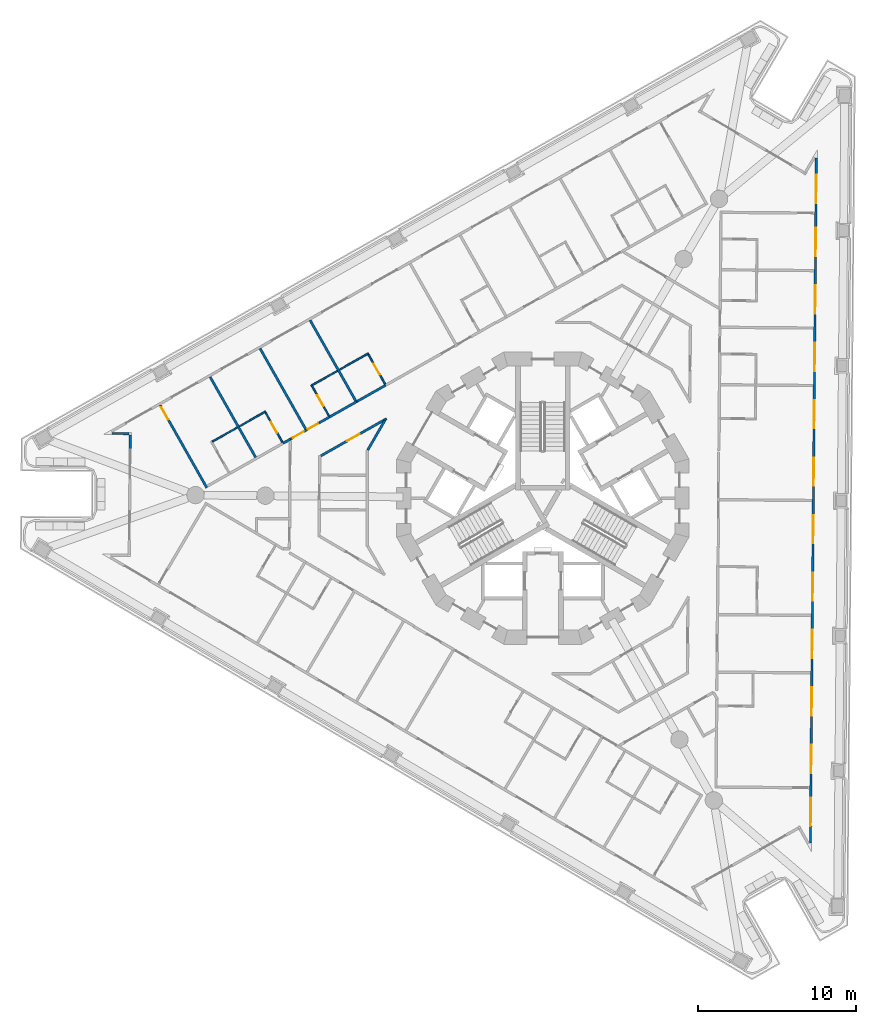
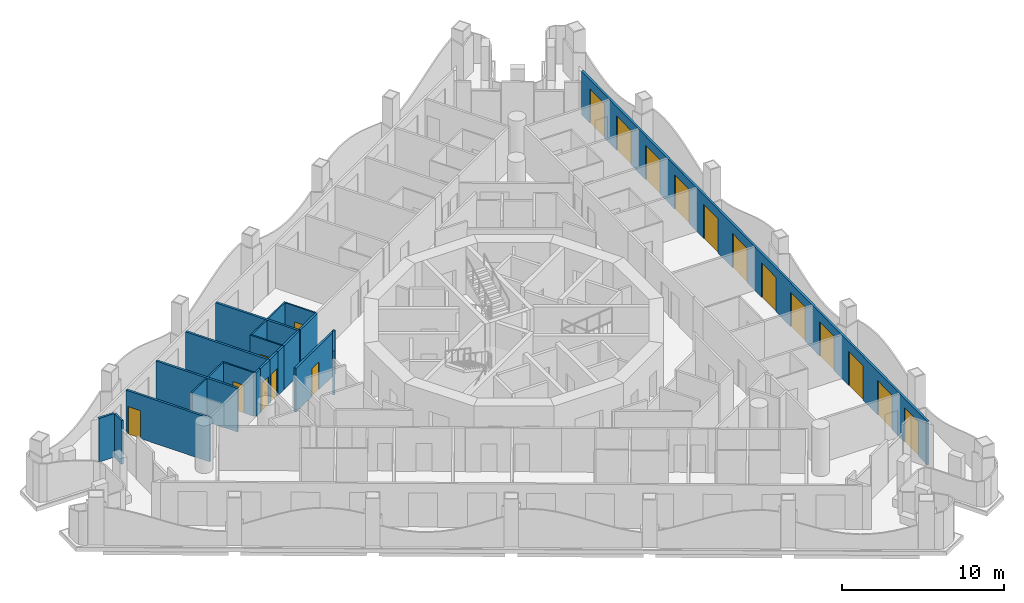
# One storey, part 7 of 18: 22 walls, 19 doors, 19 openings.
"""IFC4 building model written with IfcOpenShell, lengths in metres."""

from ifc_helpers import new_model, si_unit, direction, frame, frame_2d, origin, place, context, subcontext, project, spatial, polyline, rectangle, outline, extrude, material, layer, layer_set, type_object, element, fill, save


model = new_model("IFC4")

# Units and contexts
model_context = context("Model", 3, precision=1e-05, world=origin(), true_north=direction((0.0, 1.0)))
body_context = subcontext(model_context, "Body", "Model", "MODEL_VIEW")
ifc_project = project(units=[si_unit("LENGTHUNIT", "METRE"), si_unit("AREAUNIT", "SQUARE_METRE"), si_unit("VOLUMEUNIT", "CUBIC_METRE"), si_unit("PLANEANGLEUNIT", "RADIAN"), si_unit("MASSUNIT", "GRAM", prefix="KILO")], contexts=[model_context])

# Site, building, storey
site_placement = place(None, origin())
site = spatial("IfcSite", under=ifc_project, at=site_placement, CompositionType="ELEMENT")
building_placement = place(site_placement, origin())
building = spatial("IfcBuilding", under=site, at=building_placement, Name="Trine Commons Tower", CompositionType="ELEMENT")
storey_placement = place(building_placement, frame((0.0, 0.0, 175.5)))
storey = spatial("IfcBuildingStorey", under=building, at=storey_placement, Name="L45", CompositionType="ELEMENT", Elevation=175.5)

# Walls
ifc_material_1 = material(Name="Aluminium-framed insulated wall panel", Category="aluminium")
ifc_layer_1 = layer(ifc_material_1, 0.14990234375)
ifc_layer_set_1 = layer_set([ifc_layer_1], Name="Aluminium-framed insulated wall panel")
wall_type_1 = type_object("IfcWallType", Name="Glazed frame wall 150, EI 60", PredefinedType="SOLIDWALL", material=ifc_layer_set_1)
wall_1_placement = place(storey_placement, frame((53.816162109375, 65.628662109375, 0.0), z_axis=(0.0, 0.0, 1.0), x_axis=(0.008788723053, 0.999961378428, 0.0)))
element("IfcWall", 1, at=wall_1_placement, inside=storey, type_object=wall_type_1, Name="Glazed frame wall P1.5", PredefinedType="SOLIDWALL", context=body_context, shape_type="SweptSolid", body=[
    extrude(outline(polyline([(0.889892578125, 0.074951171875), (0.0, 0.074951171875), (0.0, -0.074951171875), (0.889892578125, -0.074951171875), (0.889892578125, 0.074951171875)])), origin(), (0.0, 0.0, 1.0), 3.300048828125),
])
wall_2_placement = place(storey_placement, frame((53.859619140625, 66.59326171875, 0.0), z_axis=(0.0, 0.0, 1.0), x_axis=(-0.999962043845, 0.008712684354, 0.0)))
element("IfcWall", 2, at=wall_2_placement, inside=storey, type_object=wall_type_1, Name="Glazed frame wall R3", PredefinedType="SOLIDWALL", context=body_context, shape_type="SweptSolid", body=[
    extrude(outline(polyline([(0.110107421875, 0.074951171875), (0.110107421875, -0.074951171875), (1.19580078125, -0.074951171875), (1.19580078125, 0.074951171875), (0.110107421875, 0.074951171875)])), origin(), (0.0, 0.0, 1.0), 3.300048828125),
])

# Wall, openings, doors
wall_3_placement = place(storey_placement, frame((97.36279296875, 84.232421875, 0.0), z_axis=(0.0, 0.0, 1.0), x_axis=(-0.00872447395, -0.999961941053, 0.0)))
wall_3 = element("IfcWall", 3, at=wall_3_placement, inside=storey, type_object=wall_type_1, Name="Glazed frame wall F2", PredefinedType="SOLIDWALL", context=body_context, shape_type="SweptSolid", body=[
    extrude(outline(polyline([(0.1494140625, 0.074951171875), (0.1494140625, -0.074951171875), (43.616943359375, -0.074951171875), (43.616943359375, 0.074951171875), (0.1494140625, 0.074951171875)])), origin(), (0.0, 0.0, 1.0), 3.300048828125),
])
opening_1_placement = place(wall_3_placement, frame((1.2236328125, 0.0, 0.0)))
opening_1 = element("IfcOpeningElement", 4, at=opening_1_placement, cuts=wall_3, Name="Opening BD-5F2-01", PredefinedType="OPENING", context=body_context, shape_type="SweptSolid", body=[
    extrude(rectangle(XDim=1.800048828125, YDim=2.60009765625, at=frame_2d((0.89990234375, 1.300048828125))), frame((0.0, 0.0849609375, 0.0), z_axis=(0.0, -1.0, 0.0), x_axis=(1.0, 0.0, 0.0)), (0.0, 0.0, 1.0), 0.169921875),
])
opening_2_placement = place(wall_3_placement, frame((4.57080078125, 0.0, 0.0)))
opening_2 = element("IfcOpeningElement", 5, at=opening_2_placement, cuts=wall_3, Name="Opening BD-5F2-02", PredefinedType="OPENING", context=body_context, shape_type="SweptSolid", body=[
    extrude(rectangle(XDim=1.800048828125, YDim=2.60009765625, at=frame_2d((0.89990234375, 1.300048828125))), frame((0.0, 0.0849609375, 0.0), z_axis=(0.0, -1.0, 0.0), x_axis=(1.0, 0.0, 0.0)), (0.0, 0.0, 1.0), 0.169921875),
])
opening_3_placement = place(wall_3_placement, frame((8.218017578125, 0.0, 0.0)))
opening_3 = element("IfcOpeningElement", 6, at=opening_3_placement, cuts=wall_3, Name="Opening BD-5F2-03", PredefinedType="OPENING", context=body_context, shape_type="SweptSolid", body=[
    extrude(rectangle(XDim=1.800048828125, YDim=2.60009765625, at=frame_2d((0.89990234375, 1.300048828125))), frame((0.0, 0.0849609375, 0.0), z_axis=(0.0, -1.0, 0.0), x_axis=(1.0, 0.0, 0.0)), (0.0, 0.0, 1.0), 0.169921875),
])
opening_4_placement = place(wall_3_placement, frame((11.865234375, 0.0, 0.0)))
opening_4 = element("IfcOpeningElement", 7, at=opening_4_placement, cuts=wall_3, Name="Opening BD-5F2-04", PredefinedType="OPENING", context=body_context, shape_type="SweptSolid", body=[
    extrude(rectangle(XDim=1.800048828125, YDim=2.60009765625, at=frame_2d((0.89990234375, 1.300048828125))), frame((0.0, 0.0849609375, 0.0), z_axis=(0.0, -1.0, 0.0), x_axis=(1.0, 0.0, 0.0)), (0.0, 0.0, 1.0), 0.169921875),
])
opening_5_placement = place(wall_3_placement, frame((15.512451171875, 0.0, 0.0)))
opening_5 = element("IfcOpeningElement", 8, at=opening_5_placement, cuts=wall_3, Name="Opening BD-5F2-05", PredefinedType="OPENING", context=body_context, shape_type="SweptSolid", body=[
    extrude(rectangle(XDim=1.800048828125, YDim=2.60009765625, at=frame_2d((0.89990234375, 1.300048828125))), frame((0.0, 0.0849609375, 0.0), z_axis=(0.0, -1.0, 0.0), x_axis=(1.0, 0.0, 0.0)), (0.0, 0.0, 1.0), 0.169921875),
])
opening_6_placement = place(wall_3_placement, frame((19.15966796875, 0.0, 0.0)))
opening_6 = element("IfcOpeningElement", 9, at=opening_6_placement, cuts=wall_3, Name="Opening BD-5F2-06", PredefinedType="OPENING", context=body_context, shape_type="SweptSolid", body=[
    extrude(rectangle(XDim=1.800048828125, YDim=2.60009765625, at=frame_2d((0.89990234375, 1.300048828125))), frame((0.0, 0.0849609375, 0.0), z_axis=(0.0, -1.0, 0.0), x_axis=(1.0, 0.0, 0.0)), (0.0, 0.0, 1.0), 0.169921875),
])
opening_7_placement = place(wall_3_placement, frame((22.806884765625, 0.0, 0.0)))
opening_7 = element("IfcOpeningElement", 10, at=opening_7_placement, cuts=wall_3, Name="Opening BD-5F2-07", PredefinedType="OPENING", context=body_context, shape_type="SweptSolid", body=[
    extrude(rectangle(XDim=1.800048828125, YDim=2.60009765625, at=frame_2d((0.89990234375, 1.300048828125))), frame((0.0, 0.0849609375, 0.0), z_axis=(0.0, -1.0, 0.0), x_axis=(1.0, 0.0, 0.0)), (0.0, 0.0, 1.0), 0.169921875),
])
opening_8_placement = place(wall_3_placement, frame((26.4541015625, 0.0, 0.0)))
opening_8 = element("IfcOpeningElement", 11, at=opening_8_placement, cuts=wall_3, Name="Opening BD-5F2-08", PredefinedType="OPENING", context=body_context, shape_type="SweptSolid", body=[
    extrude(rectangle(XDim=1.800048828125, YDim=2.60009765625, at=frame_2d((0.89990234375, 1.300048828125))), frame((0.0, 0.0849609375, 0.0), z_axis=(0.0, -1.0, 0.0), x_axis=(1.0, 0.0, 0.0)), (0.0, 0.0, 1.0), 0.169921875),
])
opening_9_placement = place(wall_3_placement, frame((30.101318359375, 0.0, 0.0)))
opening_9 = element("IfcOpeningElement", 12, at=opening_9_placement, cuts=wall_3, Name="Opening BD-5F2-09", PredefinedType="OPENING", context=body_context, shape_type="SweptSolid", body=[
    extrude(rectangle(XDim=1.800048828125, YDim=2.60009765625, at=frame_2d((0.89990234375, 1.300048828125))), frame((0.0, 0.0849609375, 0.0), z_axis=(0.0, -1.0, 0.0), x_axis=(1.0, 0.0, 0.0)), (0.0, 0.0, 1.0), 0.169921875),
])
opening_10_placement = place(wall_3_placement, frame((33.748291015625, 0.0, 0.0)))
opening_10 = element("IfcOpeningElement", 13, at=opening_10_placement, cuts=wall_3, Name="Opening BD-5F2-10", PredefinedType="OPENING", context=body_context, shape_type="SweptSolid", body=[
    extrude(rectangle(XDim=1.800048828125, YDim=2.60009765625, at=frame_2d((0.89990234375, 1.300048828125))), frame((0.0, 0.0849609375, 0.0), z_axis=(0.0, -1.0, 0.0), x_axis=(1.0, 0.0, 0.0)), (0.0, 0.0, 1.0), 0.169921875),
])
opening_11_placement = place(wall_3_placement, frame((37.3955078125, 0.0, 0.0)))
opening_11 = element("IfcOpeningElement", 14, at=opening_11_placement, cuts=wall_3, Name="Opening BD-5F2-11", PredefinedType="OPENING", context=body_context, shape_type="SweptSolid", body=[
    extrude(rectangle(XDim=1.800048828125, YDim=2.60009765625, at=frame_2d((0.89990234375, 1.300048828125))), frame((0.0, 0.0849609375, 0.0), z_axis=(0.0, -1.0, 0.0), x_axis=(1.0, 0.0, 0.0)), (0.0, 0.0, 1.0), 0.169921875),
])
opening_12_placement = place(wall_3_placement, frame((40.742919921875, 0.0, 0.0)))
opening_12 = element("IfcOpeningElement", 15, at=opening_12_placement, cuts=wall_3, Name="Opening BD-5F2-12", PredefinedType="OPENING", context=body_context, shape_type="SweptSolid", body=[
    extrude(rectangle(XDim=1.800048828125, YDim=2.60009765625, at=frame_2d((0.89990234375, 1.300048828125))), frame((0.0, 0.0849609375, 0.0), z_axis=(0.0, -1.0, 0.0), x_axis=(1.0, 0.0, 0.0)), (0.0, 0.0, 1.0), 0.169921875),
])
ifc_material_2 = material(Name="Anodised aluminium frame with double glazing", Category="aluminium")
door_type_1 = type_object("IfcDoorType", Name="Sliding loggia door 1800x2600", OperationType="SLIDING_TO_LEFT", PredefinedType="DOOR", material=ifc_material_2)
door_1_placement = place(opening_1_placement, origin())
door_1 = element("IfcDoor", 16, at=door_1_placement, inside=storey, type_object=door_type_1, Name="Loggia door F2 1", OperationType="SLIDING_TO_LEFT", OverallHeight=2.60009765625, OverallWidth=1.800048828125, PredefinedType="DOOR", context=body_context, shape_type="SweptSolid", body=[
    extrude(rectangle(XDim=1.800048828125, YDim=2.60009765625, at=frame_2d((0.89990234375, 1.300048828125))), frame((0.0, 0.02490234375, 0.0), z_axis=(0.0, -1.0, 0.0), x_axis=(1.0, 0.0, 0.0)), (0.0, 0.0, 1.0), 0.050048828125),
])
fill(opening_1, door_1)
door_2_placement = place(opening_2_placement, origin())
door_2 = element("IfcDoor", 17, at=door_2_placement, inside=storey, type_object=door_type_1, Name="Loggia door F2 2", OperationType="SLIDING_TO_LEFT", OverallHeight=2.60009765625, OverallWidth=1.800048828125, PredefinedType="DOOR", context=body_context, shape_type="SweptSolid", body=[
    extrude(rectangle(XDim=1.800048828125, YDim=2.60009765625, at=frame_2d((0.89990234375, 1.300048828125))), frame((0.0, 0.02490234375, 0.0), z_axis=(0.0, -1.0, 0.0), x_axis=(1.0, 0.0, 0.0)), (0.0, 0.0, 1.0), 0.050048828125),
])
fill(opening_2, door_2)
door_3_placement = place(opening_3_placement, origin())
door_3 = element("IfcDoor", 18, at=door_3_placement, inside=storey, type_object=door_type_1, Name="Loggia door F2 3", OperationType="SLIDING_TO_LEFT", OverallHeight=2.60009765625, OverallWidth=1.800048828125, PredefinedType="DOOR", context=body_context, shape_type="SweptSolid", body=[
    extrude(rectangle(XDim=1.800048828125, YDim=2.60009765625, at=frame_2d((0.89990234375, 1.300048828125))), frame((0.0, 0.02490234375, 0.0), z_axis=(0.0, -1.0, 0.0), x_axis=(1.0, 0.0, 0.0)), (0.0, 0.0, 1.0), 0.050048828125),
])
fill(opening_3, door_3)
door_4_placement = place(opening_4_placement, origin())
door_4 = element("IfcDoor", 19, at=door_4_placement, inside=storey, type_object=door_type_1, Name="Loggia door F2 4", OperationType="SLIDING_TO_LEFT", OverallHeight=2.60009765625, OverallWidth=1.800048828125, PredefinedType="DOOR", context=body_context, shape_type="SweptSolid", body=[
    extrude(rectangle(XDim=1.800048828125, YDim=2.60009765625, at=frame_2d((0.89990234375, 1.300048828125))), frame((0.0, 0.02490234375, 0.0), z_axis=(0.0, -1.0, 0.0), x_axis=(1.0, 0.0, 0.0)), (0.0, 0.0, 1.0), 0.050048828125),
])
fill(opening_4, door_4)
door_5_placement = place(opening_5_placement, origin())
door_5 = element("IfcDoor", 20, at=door_5_placement, inside=storey, type_object=door_type_1, Name="Loggia door F2 5", OperationType="SLIDING_TO_LEFT", OverallHeight=2.60009765625, OverallWidth=1.800048828125, PredefinedType="DOOR", context=body_context, shape_type="SweptSolid", body=[
    extrude(rectangle(XDim=1.800048828125, YDim=2.60009765625, at=frame_2d((0.89990234375, 1.300048828125))), frame((0.0, 0.02490234375, 0.0), z_axis=(0.0, -1.0, 0.0), x_axis=(1.0, 0.0, 0.0)), (0.0, 0.0, 1.0), 0.050048828125),
])
fill(opening_5, door_5)
door_6_placement = place(opening_6_placement, origin())
door_6 = element("IfcDoor", 21, at=door_6_placement, inside=storey, type_object=door_type_1, Name="Loggia door F2 6", OperationType="SLIDING_TO_LEFT", OverallHeight=2.60009765625, OverallWidth=1.800048828125, PredefinedType="DOOR", context=body_context, shape_type="SweptSolid", body=[
    extrude(rectangle(XDim=1.800048828125, YDim=2.60009765625, at=frame_2d((0.89990234375, 1.300048828125))), frame((0.0, 0.02490234375, 0.0), z_axis=(0.0, -1.0, 0.0), x_axis=(1.0, 0.0, 0.0)), (0.0, 0.0, 1.0), 0.050048828125),
])
fill(opening_6, door_6)
door_7_placement = place(opening_7_placement, origin())
door_7 = element("IfcDoor", 22, at=door_7_placement, inside=storey, type_object=door_type_1, Name="Loggia door F2 7", OperationType="SLIDING_TO_LEFT", OverallHeight=2.60009765625, OverallWidth=1.800048828125, PredefinedType="DOOR", context=body_context, shape_type="SweptSolid", body=[
    extrude(rectangle(XDim=1.800048828125, YDim=2.60009765625, at=frame_2d((0.89990234375, 1.300048828125))), frame((0.0, 0.02490234375, 0.0), z_axis=(0.0, -1.0, 0.0), x_axis=(1.0, 0.0, 0.0)), (0.0, 0.0, 1.0), 0.050048828125),
])
fill(opening_7, door_7)
door_8_placement = place(opening_8_placement, origin())
door_8 = element("IfcDoor", 23, at=door_8_placement, inside=storey, type_object=door_type_1, Name="Loggia door F2 8", OperationType="SLIDING_TO_LEFT", OverallHeight=2.60009765625, OverallWidth=1.800048828125, PredefinedType="DOOR", context=body_context, shape_type="SweptSolid", body=[
    extrude(rectangle(XDim=1.800048828125, YDim=2.60009765625, at=frame_2d((0.89990234375, 1.300048828125))), frame((0.0, 0.02490234375, 0.0), z_axis=(0.0, -1.0, 0.0), x_axis=(1.0, 0.0, 0.0)), (0.0, 0.0, 1.0), 0.050048828125),
])
fill(opening_8, door_8)
door_9_placement = place(opening_9_placement, origin())
door_9 = element("IfcDoor", 24, at=door_9_placement, inside=storey, type_object=door_type_1, Name="Loggia door F2 9", OperationType="SLIDING_TO_LEFT", OverallHeight=2.60009765625, OverallWidth=1.800048828125, PredefinedType="DOOR", context=body_context, shape_type="SweptSolid", body=[
    extrude(rectangle(XDim=1.800048828125, YDim=2.60009765625, at=frame_2d((0.89990234375, 1.300048828125))), frame((0.0, 0.02490234375, 0.0), z_axis=(0.0, -1.0, 0.0), x_axis=(1.0, 0.0, 0.0)), (0.0, 0.0, 1.0), 0.050048828125),
])
fill(opening_9, door_9)
door_10_placement = place(opening_10_placement, origin())
door_10 = element("IfcDoor", 25, at=door_10_placement, inside=storey, type_object=door_type_1, Name="Loggia door F2 10", OperationType="SLIDING_TO_LEFT", OverallHeight=2.60009765625, OverallWidth=1.800048828125, PredefinedType="DOOR", context=body_context, shape_type="SweptSolid", body=[
    extrude(rectangle(XDim=1.800048828125, YDim=2.60009765625, at=frame_2d((0.89990234375, 1.300048828125))), frame((0.0, 0.02490234375, 0.0), z_axis=(0.0, -1.0, 0.0), x_axis=(1.0, 0.0, 0.0)), (0.0, 0.0, 1.0), 0.050048828125),
])
fill(opening_10, door_10)
door_11_placement = place(opening_11_placement, origin())
door_11 = element("IfcDoor", 26, at=door_11_placement, inside=storey, type_object=door_type_1, Name="Loggia door F2 11", OperationType="SLIDING_TO_LEFT", OverallHeight=2.60009765625, OverallWidth=1.800048828125, PredefinedType="DOOR", context=body_context, shape_type="SweptSolid", body=[
    extrude(rectangle(XDim=1.800048828125, YDim=2.60009765625, at=frame_2d((0.89990234375, 1.300048828125))), frame((0.0, 0.02490234375, 0.0), z_axis=(0.0, -1.0, 0.0), x_axis=(1.0, 0.0, 0.0)), (0.0, 0.0, 1.0), 0.050048828125),
])
fill(opening_11, door_11)
door_12_placement = place(opening_12_placement, origin())
door_12 = element("IfcDoor", 27, at=door_12_placement, inside=storey, type_object=door_type_1, Name="Loggia door F2 12", OperationType="SLIDING_TO_LEFT", OverallHeight=2.60009765625, OverallWidth=1.800048828125, PredefinedType="DOOR", context=body_context, shape_type="SweptSolid", body=[
    extrude(rectangle(XDim=1.800048828125, YDim=2.60009765625, at=frame_2d((0.89990234375, 1.300048828125))), frame((0.0, 0.02490234375, 0.0), z_axis=(0.0, -1.0, 0.0), x_axis=(1.0, 0.0, 0.0)), (0.0, 0.0, 1.0), 0.050048828125),
])
fill(opening_12, door_12)

# Wall, opening, door
ifc_material_3 = material(Name="Gypsum plasterboard on steel stud", Category="steel")
ifc_layer_2 = layer(ifc_material_3, 0.14990234375)
ifc_layer_set_2 = layer_set([ifc_layer_2], Name="Gypsum plasterboard on steel stud")
wall_type_2 = type_object("IfcWallType", Name="Unit and corridor wall 150 mm, EI 60", PredefinedType="PARTITIONING", material=ifc_layer_set_2)
wall_4_placement = place(storey_placement, frame((55.708740234375, 68.401123046875, 0.0), z_axis=(0.0, 0.0, 1.0), x_axis=(0.492481823802, -0.870322729351, 0.0)))
wall_4 = element("IfcWall", 28, at=wall_4_placement, inside=storey, type_object=wall_type_2, Name="Partition 002", PredefinedType="PARTITIONING", context=body_context, shape_type="SweptSolid", body=[
    extrude(rectangle(XDim=6.024658203125, YDim=0.14990234375, at=frame_2d((3.01220703125, 0.0))), origin(), (0.0, 0.0, 1.0), 3.300048828125),
])
opening_13_placement = place(wall_4_placement, frame((0.14990234375, 0.0, 0.0)))
opening_13 = element("IfcOpeningElement", 29, at=opening_13_placement, cuts=wall_4, Name="Opening D-5B06", PredefinedType="OPENING", context=body_context, shape_type="SweptSolid", body=[
    extrude(rectangle(XDim=0.89990234375, YDim=2.10009765625, at=frame_2d((0.449951171875, 1.050048828125))), frame((0.0, 0.0849609375, 0.0), z_axis=(0.0, -1.0, 0.0), x_axis=(1.0, 0.0, 0.0)), (0.0, 0.0, 1.0), 0.169921875),
])
ifc_material_4 = material(Name="Timber fire door set", Category="wood")
door_type_2 = type_object("IfcDoorType", Name="Bedroom door 900 x 2100, FD30S", OperationType="NOTDEFINED", PredefinedType="DOOR", material=ifc_material_4)
door_13_placement = place(opening_13_placement, origin())
door_13 = element("IfcDoor", 30, at=door_13_placement, inside=storey, type_object=door_type_2, Name="Door D-5B06", OperationType="SINGLE_SWING_LEFT", OverallHeight=2.10009765625, OverallWidth=0.89990234375, PredefinedType="DOOR", context=body_context, shape_type="SweptSolid", body=[
    extrude(rectangle(XDim=0.89990234375, YDim=2.10009765625, at=frame_2d((0.449951171875, 1.050048828125))), frame((0.0, 0.02490234375, 0.0), z_axis=(0.0, -1.0, 0.0), x_axis=(1.0, 0.0, 0.0)), (0.0, 0.0, 1.0), 0.050048828125),
])
fill(opening_13, door_13)

# Walls
wall_5_placement = place(storey_placement, frame((58.8837890625, 70.197265625, 0.0), z_axis=(0.0, 0.0, 1.0), x_axis=(0.492361245758, -0.870390948756, 0.0)))
element("IfcWall", 31, at=wall_5_placement, inside=storey, type_object=wall_type_2, Name="Partition 005", PredefinedType="PARTITIONING", context=body_context, shape_type="SweptSolid", body=[
    extrude(rectangle(XDim=5.87451171875, YDim=0.14990234375, at=frame_2d((2.937255859375, 0.0))), origin(), (0.0, 0.0, 1.0), 3.300048828125),
])
wall_6_placement = place(storey_placement, frame((62.0576171875, 71.9931640625, 0.0), z_axis=(0.0, 0.0, 1.0), x_axis=(0.492391211334, -0.870373997199, 0.0)))
element("IfcWall", 32, at=wall_6_placement, inside=storey, type_object=wall_type_2, Name="Partition 015", PredefinedType="PARTITIONING", context=body_context, shape_type="SweptSolid", body=[
    extrude(rectangle(XDim=5.949462890625, YDim=0.14990234375, at=frame_2d((2.974609375, 0.0))), origin(), (0.0, 0.0, 1.0), 3.300048828125),
])
wall_7_placement = place(storey_placement, frame((63.507080078125, 65.97705078125, 0.0), z_axis=(0.0, 0.0, 1.0), x_axis=(0.869938000449, 0.493161104888, 0.0)))
element("IfcWall", 33, at=wall_7_placement, inside=storey, type_object=wall_type_2, Name="Partition 019", PredefinedType="PARTITIONING", context=body_context, shape_type="SweptSolid", body=[
    extrude(rectangle(XDim=0.5390625, YDim=0.14990234375, at=frame_2d((0.26953125, 0.0))), origin(), (0.0, 0.0, 1.0), 3.300048828125),
])

# Wall, opening, door
wall_8_placement = place(storey_placement, frame((63.97607421875, 66.242919921875, 0.0), z_axis=(0.0, 0.0, 1.0), x_axis=(0.870234820761, 0.492637145102, 0.0)))
wall_8 = element("IfcWall", 34, at=wall_8_placement, inside=storey, type_object=wall_type_2, Name="Partition 024", PredefinedType="PARTITIONING", context=body_context, shape_type="SweptSolid", body=[
    extrude(rectangle(XDim=1.1650390625, YDim=0.14990234375, at=frame_2d((0.58251953125, 0.0))), origin(), (0.0, 0.0, 1.0), 3.300048828125),
])
opening_14_placement = place(wall_8_placement, frame((0.180908203125, 0.0, 0.0)))
opening_14 = element("IfcOpeningElement", 35, at=opening_14_placement, cuts=wall_8, Name="Opening D-5B07", PredefinedType="OPENING", context=body_context, shape_type="SweptSolid", body=[
    extrude(rectangle(XDim=0.800048828125, YDim=2.10009765625, at=frame_2d((0.39990234375, 1.050048828125))), frame((0.0, 0.0849609375, 0.0), z_axis=(0.0, -1.0, 0.0), x_axis=(1.0, 0.0, 0.0)), (0.0, 0.0, 1.0), 0.169921875),
])
door_type_3 = type_object("IfcDoorType", Name="Bedroom door 800 x 2100, FD30S", OperationType="NOTDEFINED", PredefinedType="DOOR", material=ifc_material_4)
door_14_placement = place(opening_14_placement, origin())
door_14 = element("IfcDoor", 36, at=door_14_placement, inside=storey, type_object=door_type_3, Name="Door D-5B07", OperationType="SINGLE_SWING_LEFT", OverallHeight=2.10009765625, OverallWidth=0.800048828125, PredefinedType="DOOR", context=body_context, shape_type="SweptSolid", body=[
    extrude(rectangle(XDim=0.800048828125, YDim=2.10009765625, at=frame_2d((0.39990234375, 1.050048828125))), frame((0.0, 0.02490234375, 0.0), z_axis=(0.0, -1.0, 0.0), x_axis=(1.0, 0.0, 0.0)), (0.0, 0.0, 1.0), 0.050048828125),
])
fill(opening_14, door_14)

wall_9_placement = place(storey_placement, frame((64.98388671875, 66.81298828125, 0.0), z_axis=(0.0, 0.0, 1.0), x_axis=(0.870488073498, 0.492189510145, 0.0)))
wall_9 = element("IfcWall", 37, at=wall_9_placement, inside=storey, type_object=wall_type_2, Name="Partition 026", PredefinedType="PARTITIONING", context=body_context, shape_type="SweptSolid", body=[
    extrude(rectangle(XDim=0.97314453125, YDim=0.14990234375, at=frame_2d((0.486572265625, 0.0))), origin(), (0.0, 0.0, 1.0), 3.300048828125),
])
opening_15_placement = place(wall_9_placement, frame((0.08349609375, 0.0, 0.0)))
opening_15 = element("IfcOpeningElement", 38, at=opening_15_placement, cuts=wall_9, Name="Opening D-5B08", PredefinedType="OPENING", context=body_context, shape_type="SweptSolid", body=[
    extrude(rectangle(XDim=0.800048828125, YDim=2.10009765625, at=frame_2d((0.39990234375, 1.050048828125))), frame((0.0, 0.0849609375, 0.0), z_axis=(0.0, -1.0, 0.0), x_axis=(1.0, 0.0, 0.0)), (0.0, 0.0, 1.0), 0.169921875),
])
door_15_placement = place(opening_15_placement, origin())
door_15 = element("IfcDoor", 39, at=door_15_placement, inside=storey, type_object=door_type_3, Name="Door D-5B08", OperationType="SINGLE_SWING_LEFT", OverallHeight=2.10009765625, OverallWidth=0.800048828125, PredefinedType="DOOR", context=body_context, shape_type="SweptSolid", body=[
    extrude(rectangle(XDim=0.800048828125, YDim=2.10009765625, at=frame_2d((0.39990234375, 1.050048828125))), frame((0.0, 0.02490234375, 0.0), z_axis=(0.0, -1.0, 0.0), x_axis=(1.0, 0.0, 0.0)), (0.0, 0.0, 1.0), 0.050048828125),
])
fill(opening_15, door_15)

# Walls
wall_10_placement = place(storey_placement, frame((65.231689453125, 73.789306640625, 0.0), z_axis=(0.0, 0.0, 1.0), x_axis=(0.492495148892, -0.870315189065, 0.0)))
element("IfcWall", 40, at=wall_10_placement, inside=storey, type_object=wall_type_2, Name="Partition 028", PredefinedType="PARTITIONING", context=body_context, shape_type="SweptSolid", body=[
    extrude(rectangle(XDim=6.02490234375, YDim=0.14990234375, at=frame_2d((3.012451171875, 0.0))), origin(), (0.0, 0.0, 1.0), 3.300048828125),
])
wall_11_placement = place(storey_placement, frame((65.8310546875, 67.2919921875, 0.0), z_axis=(0.0, 0.0, 1.0), x_axis=(0.870513120225, 0.492145209786, 0.0)))
element("IfcWall", 41, at=wall_11_placement, inside=storey, type_object=wall_type_2, Name="Partition 037", PredefinedType="PARTITIONING", context=body_context, shape_type="SweptSolid", body=[
    extrude(rectangle(XDim=0.731689453125, YDim=0.14990234375, at=frame_2d((0.36572265625, 0.0))), origin(), (0.0, 0.0, 1.0), 3.300048828125),
])

# Wall, opening, door
wall_12_placement = place(storey_placement, frame((65.9072265625, 65.180908203125, 0.0), z_axis=(0.0, 0.0, 1.0), x_axis=(0.870373278687, 0.492392481408, 0.0)))
wall_12 = element("IfcWall", 42, at=wall_12_placement, inside=storey, type_object=wall_type_2, Name="Partition 039", PredefinedType="PARTITIONING", context=body_context, shape_type="SweptSolid", body=[
    extrude(rectangle(XDim=4.799072265625, YDim=0.14990234375, at=frame_2d((2.3994140625, 0.0))), origin(), (0.0, 0.0, 1.0), 3.300048828125),
])
opening_16_placement = place(wall_12_placement, frame((1.912109375, 0.0, 0.0)))
opening_16 = element("IfcOpeningElement", 43, at=opening_16_placement, cuts=wall_12, Name="Opening D-5B35", PredefinedType="OPENING", context=body_context, shape_type="SweptSolid", body=[
    extrude(rectangle(XDim=0.89990234375, YDim=2.10009765625, at=frame_2d((0.449951171875, 1.050048828125))), frame((0.0, 0.0849609375, 0.0), z_axis=(0.0, -1.0, 0.0), x_axis=(1.0, 0.0, 0.0)), (0.0, 0.0, 1.0), 0.169921875),
])
door_type_4 = type_object("IfcDoorType", Name="Service door 900 x 2100, FD30S", OperationType="NOTDEFINED", PredefinedType="DOOR", material=ifc_material_4)
door_16_placement = place(opening_16_placement, frame((0.89990234375, 0.0, 0.0), z_axis=(0.0, 0.0, 1.0), x_axis=(-1.0, 0.0, 0.0)))
door_16 = element("IfcDoor", 44, at=door_16_placement, inside=storey, type_object=door_type_4, Name="Door D-5B35", OperationType="SINGLE_SWING_RIGHT", OverallHeight=2.10009765625, OverallWidth=0.89990234375, PredefinedType="DOOR", context=body_context, shape_type="SweptSolid", body=[
    extrude(rectangle(XDim=0.89990234375, YDim=2.10009765625, at=frame_2d((0.449951171875, 1.050048828125))), frame((0.0, 0.02490234375, 0.0), z_axis=(0.0, -1.0, 0.0), x_axis=(1.0, 0.0, 0.0)), (0.0, 0.0, 1.0), 0.050048828125),
])
fill(opening_16, door_16)

# Walls
wall_13_placement = place(storey_placement, frame((66.41748046875, 67.62451171875, 0.0), z_axis=(0.0, 0.0, 1.0), x_axis=(0.870397465275, 0.492349725747, 0.0)))
element("IfcWall", 45, at=wall_13_placement, inside=storey, type_object=wall_type_2, Name="Partition 040", PredefinedType="PARTITIONING", context=body_context, shape_type="SweptSolid", body=[
    extrude(rectangle(XDim=2.0078125, YDim=0.14990234375, at=frame_2d((1.00390625, 0.0))), origin(), (0.0, 0.0, 1.0), 3.300048828125),
])
wall_14_placement = place(storey_placement, frame((68.224365234375, 68.64599609375, 0.0), z_axis=(0.0, 0.0, 1.0), x_axis=(0.870106004403, 0.492864627562, 0.0)))
element("IfcWall", 46, at=wall_14_placement, inside=storey, type_object=wall_type_2, Name="Partition 043", PredefinedType="PARTITIONING", context=body_context, shape_type="SweptSolid", body=[
    extrude(rectangle(XDim=2.08203125, YDim=0.14990234375, at=frame_2d((1.041015625, 0.0))), origin(), (0.0, 0.0, 1.0), 3.300048828125),
])
wall_15_placement = place(storey_placement, frame((68.889404296875, 65.552001953125, 0.0), z_axis=(0.0, 0.0, 1.0), x_axis=(0.499825543119, 0.866126103086, 0.0)))
element("IfcWall", 47, at=wall_15_placement, inside=storey, type_object=wall_type_2, Name="Partition 046", PredefinedType="PARTITIONING", context=body_context, shape_type="SweptSolid", body=[
    extrude(rectangle(XDim=2.186767578125, YDim=0.14990234375, at=frame_2d((1.09326171875, 0.0))), origin(), (0.0, 0.0, 1.0), 3.300048828125),
])
ifc_layer_3 = layer(ifc_material_3, 0.10009765625)
ifc_layer_set_3 = layer_set([ifc_layer_3], Name="Gypsum plasterboard on steel stud")
wall_type_3 = type_object("IfcWallType", Name="Unit partition 100 mm, no rating", PredefinedType="PARTITIONING", material=ifc_layer_set_3)
wall_16_placement = place(storey_placement, frame((59.026611328125, 66.085693359375, 0.0), z_axis=(0.0, 0.0, 1.0), x_axis=(0.870375876163, 0.492387889974, 0.0)))
element("IfcWall", 48, at=wall_16_placement, inside=storey, type_object=wall_type_3, Name="Partition 007", PredefinedType="PARTITIONING", context=body_context, shape_type="SweptSolid", body=[
    extrude(rectangle(XDim=1.82470703125, YDim=0.10009765625, at=frame_2d((0.912353515625, 0.0))), origin(), (0.0, 0.0, 1.0), 3.300048828125),
])
wall_17_placement = place(storey_placement, frame((60.745361328125, 67.057861328125, 0.0), z_axis=(0.0, 0.0, 1.0), x_axis=(0.870465997858, 0.492228551156, 0.0)))
element("IfcWall", 49, at=wall_17_placement, inside=storey, type_object=wall_type_3, Name="Partition 009", PredefinedType="PARTITIONING", context=body_context, shape_type="SweptSolid", body=[
    extrude(rectangle(XDim=1.925537109375, YDim=0.10009765625, at=frame_2d((0.962890625, 0.0))), origin(), (0.0, 0.0, 1.0), 3.300048828125),
])

# Wall, opening, door
wall_18_placement = place(storey_placement, frame((62.402587890625, 67.9375, 0.0), z_axis=(0.0, 0.0, 1.0), x_axis=(0.492205197529, -0.870479203385, 0.0)))
wall_18 = element("IfcWall", 50, at=wall_18_placement, inside=storey, type_object=wall_type_3, Name="Partition 016", PredefinedType="PARTITIONING", context=body_context, shape_type="SweptSolid", body=[
    extrude(rectangle(XDim=2.175048828125, YDim=0.10009765625, at=frame_2d((1.08740234375, 0.0))), origin(), (0.0, 0.0, 1.0), 3.300048828125),
])
opening_17_placement = place(wall_18_placement, frame((0.6875, 0.0, 0.0)))
opening_17 = element("IfcOpeningElement", 51, at=opening_17_placement, cuts=wall_18, Name="Opening D-5B40", PredefinedType="OPENING", context=body_context, shape_type="SweptSolid", body=[
    extrude(rectangle(XDim=0.800048828125, YDim=2.10009765625, at=frame_2d((0.39990234375, 1.050048828125))), frame((0.0, 0.06005859375, 0.0), z_axis=(0.0, -1.0, 0.0), x_axis=(1.0, 0.0, 0.0)), (0.0, 0.0, 1.0), 0.1201171875),
])
ifc_material_5 = material(Name="Painted timber", Category="wood")
door_type_5 = type_object("IfcDoorType", Name="Internal door 800 x 2100, NOT RATED", OperationType="NOTDEFINED", PredefinedType="DOOR", material=ifc_material_5)
door_17_placement = place(opening_17_placement, origin())
door_17 = element("IfcDoor", 52, at=door_17_placement, inside=storey, type_object=door_type_5, Name="Door D-5B40", OperationType="SINGLE_SWING_LEFT", OverallHeight=2.10009765625, OverallWidth=0.800048828125, PredefinedType="DOOR", context=body_context, shape_type="SweptSolid", body=[
    extrude(rectangle(XDim=0.800048828125, YDim=2.10009765625, at=frame_2d((0.39990234375, 1.050048828125))), frame((0.0, 0.02490234375, 0.0), z_axis=(0.0, -1.0, 0.0), x_axis=(1.0, 0.0, 0.0)), (0.0, 0.0, 1.0), 0.050048828125),
])
fill(opening_17, door_17)

wall_19_placement = place(storey_placement, frame((65.307373046875, 69.696533203125, 0.0), z_axis=(0.0, 0.0, 1.0), x_axis=(0.492181026221, -0.870492870406, 0.0)))
wall_19 = element("IfcWall", 53, at=wall_19_placement, inside=storey, type_object=wall_type_3, Name="Partition 029", PredefinedType="PARTITIONING", context=body_context, shape_type="SweptSolid", body=[
    extrude(rectangle(XDim=2.27490234375, YDim=0.10009765625, at=frame_2d((1.137451171875, 0.0))), origin(), (0.0, 0.0, 1.0), 3.300048828125),
])
opening_18_placement = place(wall_19_placement, frame((0.762451171875, 0.0, 0.0)))
opening_18 = element("IfcOpeningElement", 54, at=opening_18_placement, cuts=wall_19, Name="Opening D-5B41", PredefinedType="OPENING", context=body_context, shape_type="SweptSolid", body=[
    extrude(rectangle(XDim=0.800048828125, YDim=2.10009765625, at=frame_2d((0.39990234375, 1.050048828125))), frame((0.0, 0.06005859375, 0.0), z_axis=(0.0, -1.0, 0.0), x_axis=(1.0, 0.0, 0.0)), (0.0, 0.0, 1.0), 0.1201171875),
])
door_18_placement = place(opening_18_placement, frame((0.800048828125, 0.0, 0.0), z_axis=(0.0, 0.0, 1.0), x_axis=(-1.0, 0.0, 0.0)))
door_18 = element("IfcDoor", 55, at=door_18_placement, inside=storey, type_object=door_type_5, Name="Door D-5B41", OperationType="SINGLE_SWING_LEFT", OverallHeight=2.10009765625, OverallWidth=0.800048828125, PredefinedType="DOOR", context=body_context, shape_type="SweptSolid", body=[
    extrude(rectangle(XDim=0.800048828125, YDim=2.10009765625, at=frame_2d((0.39990234375, 1.050048828125))), frame((0.0, 0.02490234375, 0.0), z_axis=(0.0, -1.0, 0.0), x_axis=(1.0, 0.0, 0.0)), (0.0, 0.0, 1.0), 0.050048828125),
])
fill(opening_18, door_18)

# Walls
wall_20_placement = place(storey_placement, frame((65.37548828125, 69.677490234375, 0.0), z_axis=(0.0, 0.0, 1.0), x_axis=(0.870318531919, 0.492489241505, 0.0)))
element("IfcWall", 56, at=wall_20_placement, inside=storey, type_object=wall_type_3, Name="Partition 030", PredefinedType="PARTITIONING", context=body_context, shape_type="SweptSolid", body=[
    extrude(rectangle(XDim=1.82470703125, YDim=0.10009765625, at=frame_2d((0.912353515625, 0.0))), origin(), (0.0, 0.0, 1.0), 3.300048828125),
])
wall_21_placement = place(storey_placement, frame((67.09423828125, 70.64990234375, 0.0), z_axis=(0.0, 0.0, 1.0), x_axis=(0.870293094697, 0.492534191019, 0.0)))
element("IfcWall", 57, at=wall_21_placement, inside=storey, type_object=wall_type_3, Name="Partition 041", PredefinedType="PARTITIONING", context=body_context, shape_type="SweptSolid", body=[
    extrude(rectangle(XDim=2.125, YDim=0.10009765625, at=frame_2d((1.0625, 0.0))), origin(), (0.0, 0.0, 1.0), 3.300048828125),
])

# Wall, opening, door
wall_22_placement = place(storey_placement, frame((68.924560546875, 71.62841796875, 0.0), z_axis=(0.0, 0.0, 1.0), x_axis=(0.492593408535, -0.870259578441, 0.0)))
wall_22 = element("IfcWall", 58, at=wall_22_placement, inside=storey, type_object=wall_type_3, Name="Partition 047", PredefinedType="PARTITIONING", context=body_context, shape_type="SweptSolid", body=[
    extrude(rectangle(XDim=2.17529296875, YDim=0.10009765625, at=frame_2d((1.087646484375, 0.0))), origin(), (0.0, 0.0, 1.0), 3.300048828125),
])
opening_19_placement = place(wall_22_placement, frame((0.6875, 0.0, 0.0)))
opening_19 = element("IfcOpeningElement", 59, at=opening_19_placement, cuts=wall_22, Name="Opening D-5B42", PredefinedType="OPENING", context=body_context, shape_type="SweptSolid", body=[
    extrude(rectangle(XDim=0.800048828125, YDim=2.10009765625, at=frame_2d((0.39990234375, 1.050048828125))), frame((0.0, 0.06005859375, 0.0), z_axis=(0.0, -1.0, 0.0), x_axis=(1.0, 0.0, 0.0)), (0.0, 0.0, 1.0), 0.1201171875),
])
door_19_placement = place(opening_19_placement, origin())
door_19 = element("IfcDoor", 60, at=door_19_placement, inside=storey, type_object=door_type_5, Name="Door D-5B42", OperationType="SINGLE_SWING_LEFT", OverallHeight=2.10009765625, OverallWidth=0.800048828125, PredefinedType="DOOR", context=body_context, shape_type="SweptSolid", body=[
    extrude(rectangle(XDim=0.800048828125, YDim=2.10009765625, at=frame_2d((0.39990234375, 1.050048828125))), frame((0.0, 0.02490234375, 0.0), z_axis=(0.0, -1.0, 0.0), x_axis=(1.0, 0.0, 0.0)), (0.0, 0.0, 1.0), 0.050048828125),
])
fill(opening_19, door_19)

save(model, "model.ifc")
